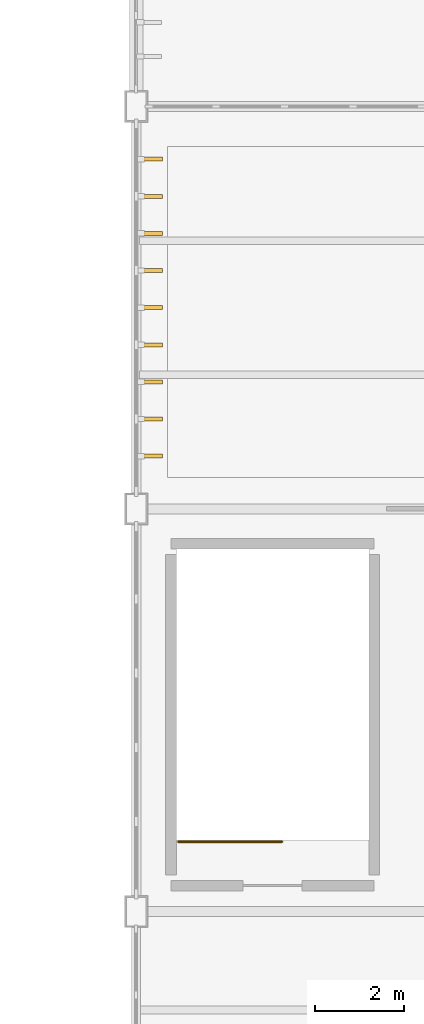
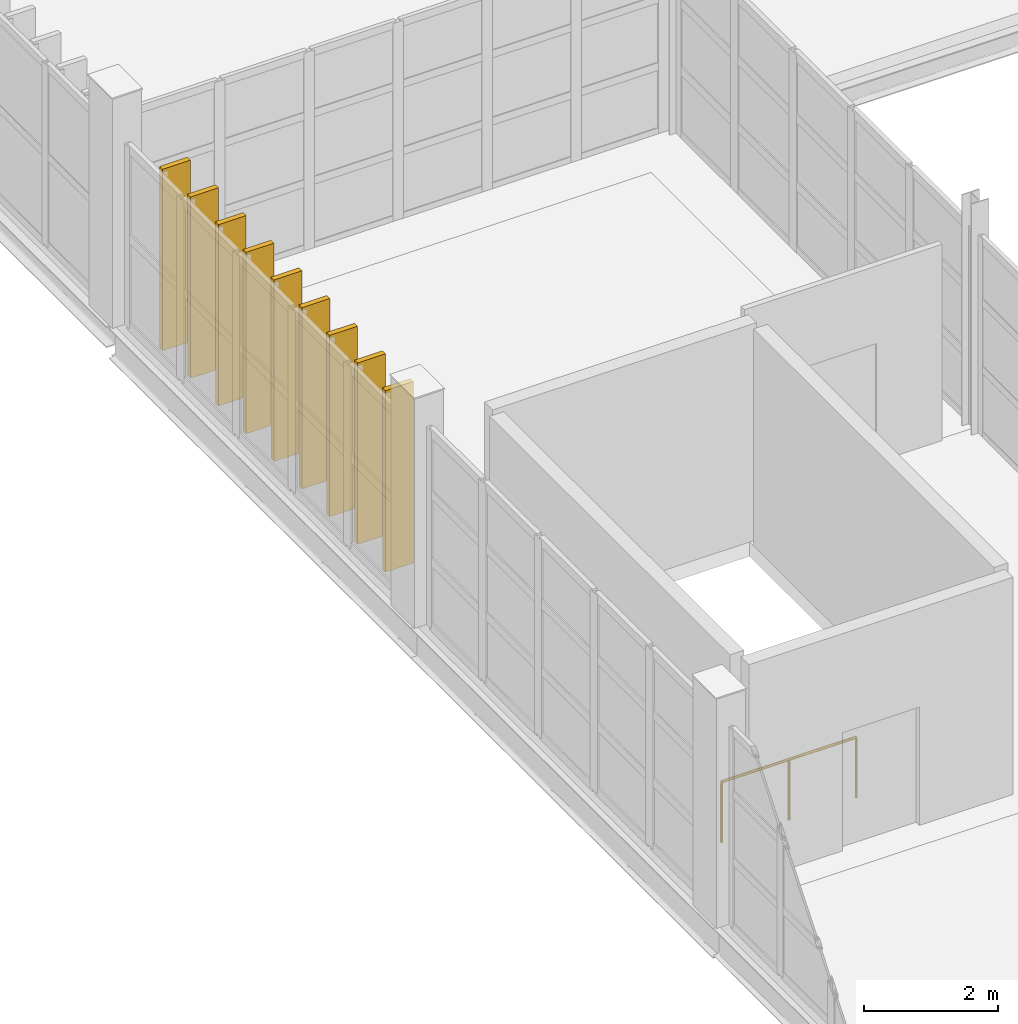
# One storey, part 80 of 82: 9 coverings, 1 railing.
"""IFC4 building model written with IfcOpenShell, lengths in metres."""

from ifc_helpers import new_model, si_unit, direction, frame, origin, origin_2d, place, context, subcontext, project, spatial, rectangle, circle, extrude, material, type_object, element, save


model = new_model("IFC4")

# Units and contexts
model_context = context("Model", 3, precision=1e-05, world=origin(), true_north=direction((0.0, 1.0)))
body_context = subcontext(model_context, "Body", "Model", "MODEL_VIEW")
ifc_project = project(units=[si_unit("LENGTHUNIT", "METRE"), si_unit("AREAUNIT", "SQUARE_METRE"), si_unit("VOLUMEUNIT", "CUBIC_METRE"), si_unit("PLANEANGLEUNIT", "RADIAN"), si_unit("MASSUNIT", "GRAM", prefix="KILO")], contexts=[model_context])

# Site, building, storey
site_placement = place(None, origin())
site = spatial("IfcSite", under=ifc_project, at=site_placement, CompositionType="ELEMENT")
building_placement = place(site_placement, origin())
building = spatial("IfcBuilding", under=site, at=building_placement, Name="Zarnetskaya Central Station", CompositionType="ELEMENT")
storey_placement = place(building_placement, frame((0.0, 0.0, 10.199951171875)))
storey = spatial("IfcBuildingStorey", under=building, at=storey_placement, Name="L02", CompositionType="ELEMENT", Elevation=10.199951171875)

# Coverings
ifc_material_1 = material(Name="Larch glulam GL28h", Category="wood")
covering_type = type_object("IfcCoveringType", Name="COV-LARCH-BLADE", PredefinedType="CLADDING", material=ifc_material_1)
for number, where, z_axis, x_axis, name in (
    (1, (125.14990234375, 30.02001953125, 0.0), (0.0, 0.0, 1.0), (0.0, -1.0, 0.0), "Vertical GL28h larch gable screen blade CW-L02-090-01"),
    (2, (125.14990234375, 29.18994140625, 0.0), (0.0, 0.0, 1.0), (0.0, -1.0, 0.0), "Vertical GL28h larch gable screen blade CW-L02-090-02"),
    (3, (125.14990234375, 28.360107421875, 0.0), (0.0, 0.0, 1.0), (0.0, -1.0, 0.0), "Vertical GL28h larch gable screen blade CW-L02-090-03"),
    (4, (125.14990234375, 27.530029296875, 0.0), (0.0, 0.0, 1.0), (0.0, -1.0, 0.0), "Vertical GL28h larch gable screen blade CW-L02-090-04"),
    (5, (125.14990234375, 26.699951171875, 0.0), (0.0, 0.0, 1.0), (0.0, -1.0, 0.0), "Vertical GL28h larch gable screen blade CW-L02-090-05"),
    (6, (125.14990234375, 25.8701171875, 0.0), (0.0, 0.0, 1.0), (0.0, -1.0, 0.0), "Vertical GL28h larch gable screen blade CW-L02-090-06"),
    (7, (125.14990234375, 25.0400390625, 0.0), (0.0, 0.0, 1.0), (0.0, -1.0, 0.0), "Vertical GL28h larch gable screen blade CW-L02-090-07"),
    (8, (125.14990234375, 24.2099609375, 0.0), (0.0, 0.0, 1.0), (0.0, -1.0, 0.0), "Vertical GL28h larch gable screen blade CW-L02-090-08"),
    (9, (125.14990234375, 23.3798828125, 0.0), (0.0, 0.0, 1.0), (0.0, -1.0, 0.0), "Vertical GL28h larch gable screen blade CW-L02-090-09"),
):
    element("IfcCovering", number, at=place(storey_placement, frame(where, z_axis=z_axis, x_axis=x_axis)), inside=storey, type_object=covering_type, Name=name, PredefinedType="CLADDING", context=body_context, shape_type="SweptSolid", body=[
        extrude(rectangle(XDim=0.090087890625, YDim=0.47998046875, at=origin_2d()), origin(), (0.0, 0.0, 1.0), 3.300048828125),
    ])

# Railing
ifc_material_2 = material(Name="Steel S355", Category="steel")
railing_type = type_object("IfcRailingType", Name="RAIL-STAIR-GRD", PredefinedType="BALUSTRADE", material=ifc_material_2)
railing_placement = place(storey_placement, frame((125.739990234375, 14.760009765625, 0.0)))
element("IfcRailing", 10, at=railing_placement, inside=storey, type_object=railing_type, Name="Stair ST-V1 L02 floor well guard", PredefinedType="BALUSTRADE", context=body_context, shape_type="SweptSolid", body=[
    extrude(circle(Radius=0.02392578125, at=origin_2d()), frame((0.0, 0.0, 1.09619140625), z_axis=(1.0, 0.0, 0.0), x_axis=(0.0, 1.0, 0.0)), (0.0, 0.0, 1.0), 2.320068359375),
    extrude(circle(Radius=0.02099609375, at=origin_2d()), origin(), (0.0, 0.0, 1.0), 1.072021484375),
    extrude(circle(Radius=0.02099609375, at=origin_2d()), frame((1.16015625, 0.0, 0.0)), (0.0, 0.0, 1.0), 1.072021484375),
    extrude(circle(Radius=0.02099609375, at=origin_2d()), frame((2.320068359375, 0.0, 0.0)), (0.0, 0.0, 1.0), 1.072021484375),
])

save(model, "model.ifc")
